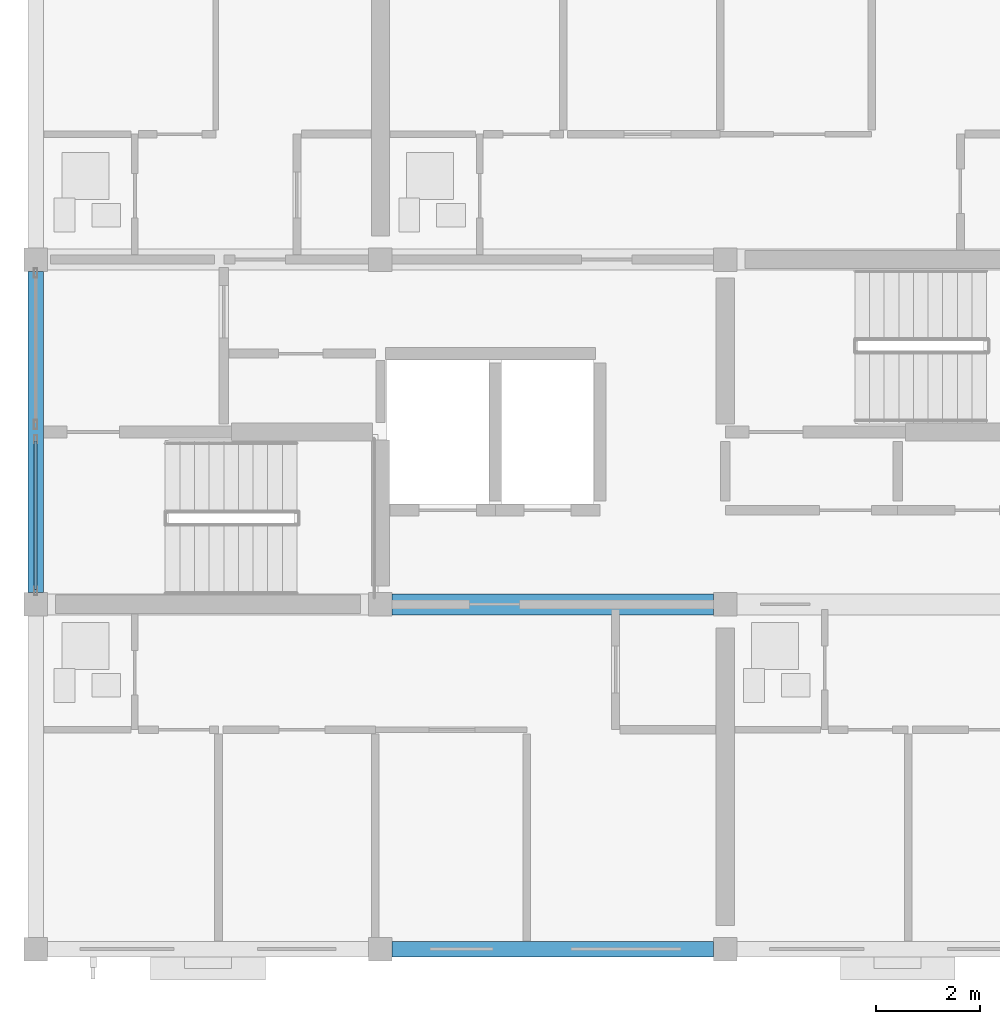
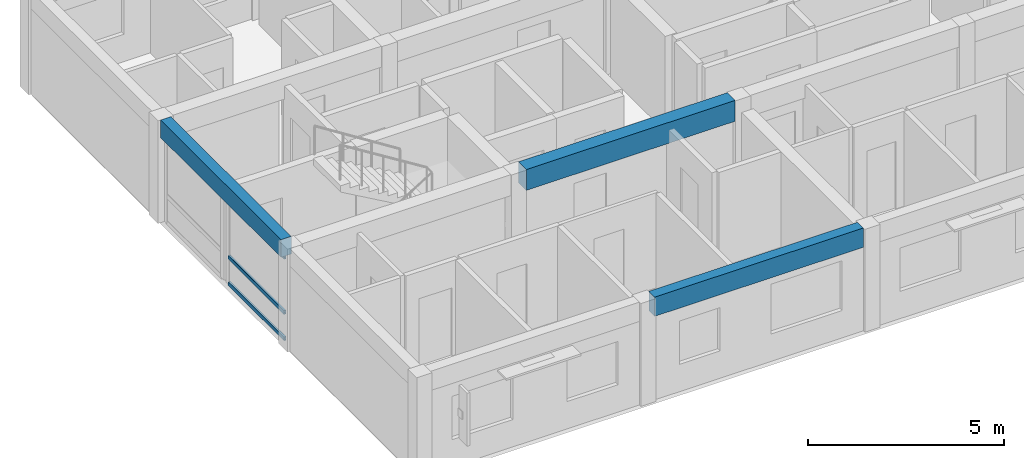
# One storey, part 4 of 52: 3 beams, 3 members, 1 element without a shape of its own.
"""IFC4 building model written with IfcOpenShell, lengths in metres."""

from ifc_helpers import new_model, si_unit, direction, frame, origin, origin_2d, place, context, subcontext, project, spatial, rectangle, hollow_rectangle, extrude, material, material_profile, profile_set, type_object, element, aggregate, save


model = new_model("IFC4")

# Units and contexts
model_context = context("Model", 3, precision=1e-05, world=origin(), true_north=direction((0.0, 1.0)))
body_context = subcontext(model_context, "Body", "Model", "MODEL_VIEW")
ifc_project = project(units=[si_unit("LENGTHUNIT", "METRE"), si_unit("AREAUNIT", "SQUARE_METRE"), si_unit("VOLUMEUNIT", "CUBIC_METRE"), si_unit("PLANEANGLEUNIT", "RADIAN"), si_unit("MASSUNIT", "GRAM", prefix="KILO")], contexts=[model_context])

# Site, building, storey
site_placement = place(None, origin())
site = spatial("IfcSite", under=ifc_project, at=site_placement, CompositionType="ELEMENT")
building_placement = place(site_placement, origin())
building = spatial("IfcBuilding", under=site, at=building_placement, Name="Kernevlak Ridge Housing Community", CompositionType="ELEMENT")
storey_placement = place(building_placement, frame((0.0, 0.0, 11.60009765625)))
storey = spatial("IfcBuildingStorey", under=building, at=storey_placement, Name="L03", CompositionType="ELEMENT", Elevation=11.60009765625)

# Beams
ifc_material_1 = material(Name="Concrete C35/45", Category="concrete")
ifc_material_profile_1 = material_profile(ifc_material_1, rectangle(XDim=0.39990234375, YDim=0.64990234375, at=origin_2d()), Name="RC 400x650")
ifc_profile_set_1 = profile_set([ifc_material_profile_1], Name="Concrete C35/45")
beam_type_1 = type_object("IfcBeamType", Name="B-03", PredefinedType="T_BEAM", material=ifc_profile_set_1)
beam_1_placement = place(storey_placement, frame((22.425048828125, 22.199951171875, 2.875), z_axis=(1.0, 0.0, 0.0), x_axis=(0.0, 1.0, 0.0)))
element("IfcBeam", 1, at=beam_1_placement, inside=storey, type_object=beam_type_1, Name="Beam B-03 L03 1393", PredefinedType="T_BEAM", context=body_context, shape_type="SweptSolid", body=[
    extrude(rectangle(XDim=0.39990234375, YDim=0.64990234375, at=origin_2d()), origin(), (0.0, 0.0, 1.0), 6.14990234375),
])
ifc_material_profile_2 = material_profile(ifc_material_1, rectangle(XDim=0.300048828125, YDim=0.550048828125, at=origin_2d()), Name="RC 300x550")
ifc_profile_set_2 = profile_set([ifc_material_profile_2], Name="Concrete C35/45")
beam_type_2 = type_object("IfcBeamType", Name="SP-01", PredefinedType="SPANDREL", material=ifc_profile_set_2)
beam_2_placement = place(storey_placement, frame((15.60009765625, 22.425048828125, 2.9248046875), z_axis=(0.0, 1.0, 0.0), x_axis=(-1.0, 0.0, 0.0)))
element("IfcBeam", 2, at=beam_2_placement, inside=storey, type_object=beam_type_2, Name="Beam SP-01 L03 1405", PredefinedType="SPANDREL", context=body_context, shape_type="SweptSolid", body=[
    extrude(rectangle(XDim=0.300048828125, YDim=0.550048828125, at=origin_2d()), origin(), (0.0, 0.0, 1.0), 6.14990234375),
])
ifc_material_profile_3 = material_profile(ifc_material_1, rectangle(XDim=0.300048828125, YDim=0.60009765625, at=origin_2d()), Name="RC 300x600")
ifc_profile_set_3 = profile_set([ifc_material_profile_3], Name="Concrete C35/45")
beam_type_3 = type_object("IfcBeamType", Name="SP-02", PredefinedType="SPANDREL", material=ifc_profile_set_3)
beam_3_placement = place(storey_placement, frame((22.425048828125, 15.60009765625, 2.89990234375), z_axis=(1.0, 0.0, 0.0), x_axis=(0.0, 1.0, 0.0)))
element("IfcBeam", 3, at=beam_3_placement, inside=storey, type_object=beam_type_3, Name="Beam SP-02 L03 1389", PredefinedType="SPANDREL", context=body_context, shape_type="SweptSolid", body=[
    extrude(rectangle(XDim=0.300048828125, YDim=0.60009765625, at=origin_2d()), origin(), (0.0, 0.0, 1.0), 6.14990234375),
])

# Curtain wall, members
ifc_material_2 = material(Name="Aluminium EN AW-6060 anodised and laminated glass", Category="aluminium")
curtain_wall_type = type_object("IfcCurtainWallType", Name="CW-10", PredefinedType="NOTDEFINED", material=ifc_material_2)
curtain_wall_placement = place(storey_placement, origin())
curtain_wall = element("IfcCurtainWall", 4, at=curtain_wall_placement, inside=storey, type_object=curtain_wall_type, Name="Curtain wall CW-10 CW-L03-148", PredefinedType="NOTDEFINED")
ifc_material_3 = material(Name="Aluminium EN AW-6060 anodised", Category="aluminium")
ifc_material_profile_4 = material_profile(ifc_material_3, hollow_rectangle(XDim=0.06005859375, YDim=0.1201171875, WallThickness=0.00390625, InnerFilletRadius=0.001953125, OuterFilletRadius=0.00390625, at=origin_2d()), Name="ALU 60x120x4")
ifc_profile_set_4 = profile_set([ifc_material_profile_4], Name="Aluminium EN AW-6060 anodised")
member_type = type_object("IfcMemberType", Name="TM-02", PredefinedType="USERDEFINED", material=ifc_profile_set_4)
member_1_placement = place(storey_placement, frame((15.60009765625, 22.485107421875, 0.02978515625), z_axis=(0.0, 1.0, 0.0), x_axis=(-1.0, 0.0, 0.0)))
member_1 = element("IfcMember", 5, at=member_1_placement, type_object=member_type, Name="CW-10 transom 1.1", ObjectType="TRANSOM", PredefinedType="USERDEFINED", context=body_context, shape_type="SweptSolid", body=[
    extrude(hollow_rectangle(XDim=0.06005859375, YDim=0.1201171875, WallThickness=0.00390625, InnerFilletRadius=0.001953125, OuterFilletRadius=0.00390625, at=origin_2d()), origin(), (0.0, 0.0, 1.0), 2.844970703125),
])
member_2_placement = place(storey_placement, frame((15.60009765625, 22.485107421875, 0.849853515625), z_axis=(0.0, 1.0, 0.0), x_axis=(-1.0, 0.0, 0.0)))
member_2 = element("IfcMember", 6, at=member_2_placement, type_object=member_type, Name="CW-10 transom 1.2", ObjectType="TRANSOM", PredefinedType="USERDEFINED", context=body_context, shape_type="SweptSolid", body=[
    extrude(hollow_rectangle(XDim=0.06005859375, YDim=0.1201171875, WallThickness=0.00390625, InnerFilletRadius=0.001953125, OuterFilletRadius=0.00390625, at=origin_2d()), origin(), (0.0, 0.0, 1.0), 2.844970703125),
])
member_3_placement = place(storey_placement, frame((15.60009765625, 22.485107421875, 2.56982421875), z_axis=(0.0, 1.0, 0.0), x_axis=(-1.0, 0.0, 0.0)))
member_3 = element("IfcMember", 7, at=member_3_placement, type_object=member_type, Name="CW-10 transom 1.3", ObjectType="TRANSOM", PredefinedType="USERDEFINED", context=body_context, shape_type="SweptSolid", body=[
    extrude(hollow_rectangle(XDim=0.06005859375, YDim=0.1201171875, WallThickness=0.00390625, InnerFilletRadius=0.001953125, OuterFilletRadius=0.00390625, at=origin_2d()), origin(), (0.0, 0.0, 1.0), 2.844970703125),
])
aggregate(curtain_wall, [member_1, member_2, member_3])

save(model, "model.ifc")
